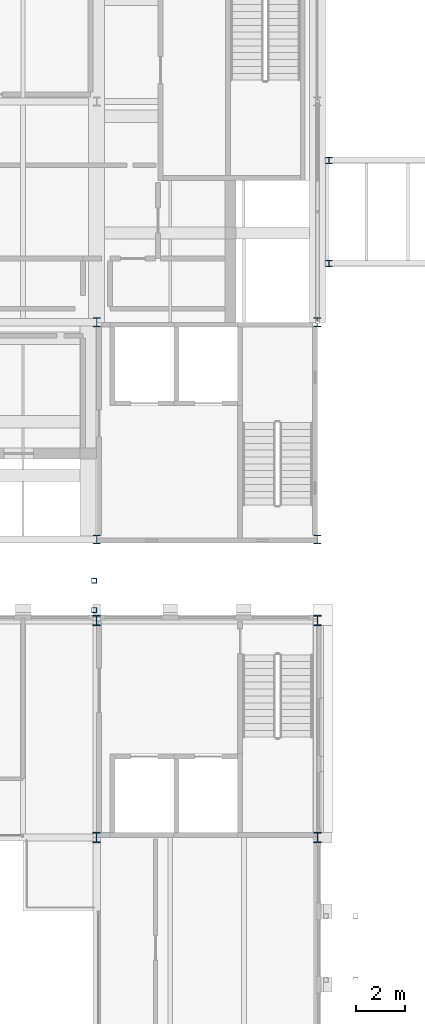
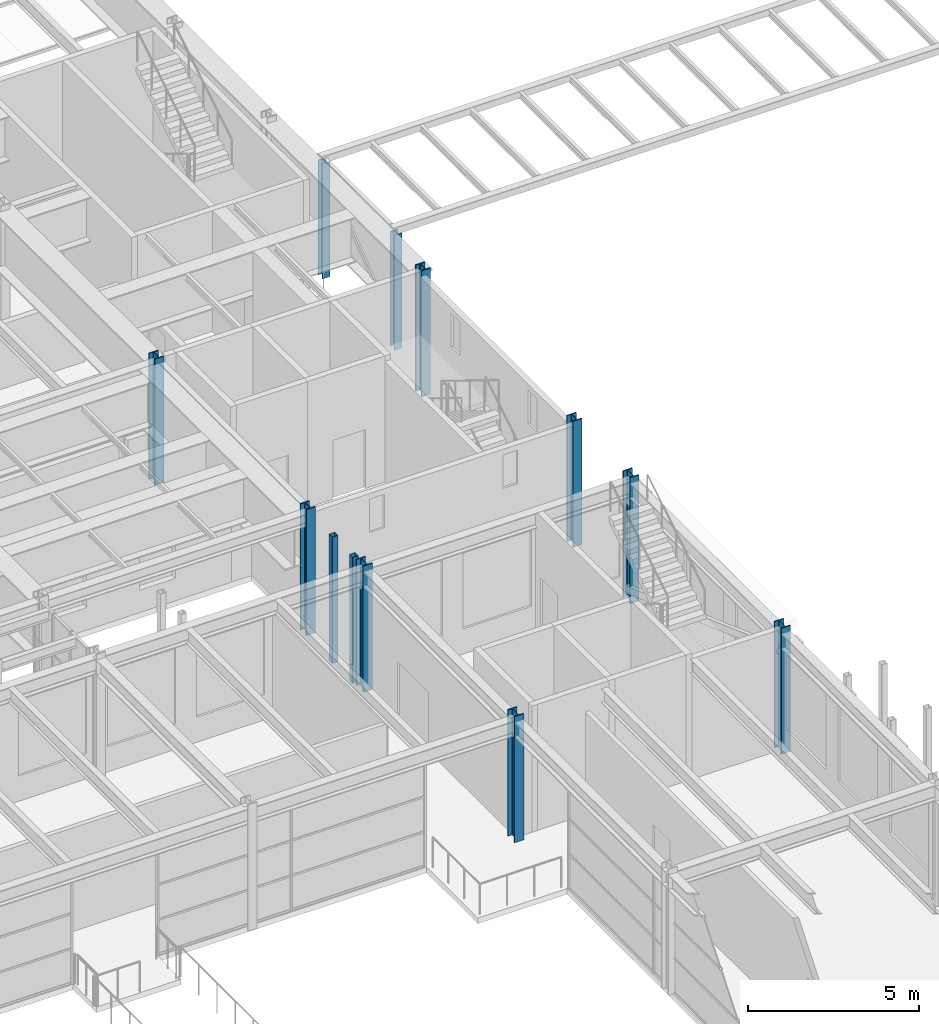
# One storey, part 12 of 153: 12 columns.
"""IFC4 building model written with IfcOpenShell, lengths in metres."""

from ifc_helpers import new_model, si_unit, direction, frame, origin, origin_2d, place, context, subcontext, project, spatial, hollow_rectangle, i_section, extrude, material, material_profile, profile_set, type_object, element, save


model = new_model("IFC4")

# Units and contexts
model_context = context("Model", 3, precision=1e-05, world=origin(), true_north=direction((0.0, 1.0)))
body_context = subcontext(model_context, "Body", "Model", "MODEL_VIEW")
ifc_project = project(units=[si_unit("LENGTHUNIT", "METRE"), si_unit("AREAUNIT", "SQUARE_METRE"), si_unit("VOLUMEUNIT", "CUBIC_METRE"), si_unit("PLANEANGLEUNIT", "RADIAN"), si_unit("MASSUNIT", "GRAM", prefix="KILO")], contexts=[model_context])

# Site, building, storey
site_placement = place(None, origin())
site = spatial("IfcSite", under=ifc_project, at=site_placement, CompositionType="ELEMENT")
building_placement = place(site_placement, origin())
building = spatial("IfcBuilding", under=site, at=building_placement, Name="Kallimachos Central Library", CompositionType="ELEMENT")
storey_placement = place(building_placement, frame((0.0, 0.0, 5.39990234375)))
storey = spatial("IfcBuildingStorey", under=building, at=storey_placement, Name="L01", CompositionType="ELEMENT", Elevation=5.39990234375)

# Columns
ifc_material_1 = material(Name="Steel S355J2", Category="steel")
ifc_material_profile_1 = material_profile(ifc_material_1, i_section(OverallWidth=0.260009765625, OverallDepth=0.260009765625, WebThickness=0.010009765625, FlangeThickness=0.017578125, FilletRadius=0.02392578125, at=origin_2d()), Name="HEB 260")
ifc_profile_set_1 = profile_set([ifc_material_profile_1], Name="Steel S355J2")
column_type_1 = type_object("IfcColumnType", Name="HEB 260 column", PredefinedType="COLUMN", material=ifc_profile_set_1)
for number, where, z_axis, x_axis, name in (
    (1, (110.97509765625, 98.39990234375, 0.0), (0.0, 0.0, 1.0), (1.0, 0.0, 0.0), "B-E landing column"),
    (2, (110.97509765625, 102.60009765625, 0.0), (0.0, 0.0, 1.0), (1.0, 0.0, 0.0), "B-E landing column"),
):
    element("IfcColumn", number, at=place(storey_placement, frame(where, z_axis=z_axis, x_axis=x_axis)), inside=storey, type_object=column_type_1, Name=name, PredefinedType="COLUMN", context=body_context, shape_type="SweptSolid", body=[
        extrude(i_section(OverallWidth=0.260009765625, OverallDepth=0.260009765625, WebThickness=0.010009765625, FlangeThickness=0.017578125, FilletRadius=0.02392578125, at=origin_2d()), origin(), (0.0, 0.0, 1.0), 4.10009765625),
    ])
ifc_material_2 = material(Name="Steel S355J2", Category="steel")
ifc_material_profile_2 = material_profile(ifc_material_2, i_section(OverallWidth=0.30908203125, OverallDepth=0.376953125, WebThickness=0.02099609375, FlangeThickness=0.0400390625, FilletRadius=0.027099609375, at=origin_2d()), Name="HEM 340")
ifc_profile_set_2 = profile_set([ifc_material_profile_2], Name="Steel S355J2")
column_type_2 = type_object("IfcColumnType", Name="HEM 340 column", PredefinedType="COLUMN", material=ifc_profile_set_2)
for number, where, z_axis, x_axis, name in (
    (3, (101.5, 87.14990234375, 0.0), (0.0, 0.0, 1.0), (1.0, 0.0, 0.0), "V1-COL-L01-005"),
    (4, (110.5, 87.14990234375, 0.0), (0.0, 0.0, 1.0), (1.0, 0.0, 0.0), "V1-COL-L01-006"),
    (5, (101.5, 96.0, 0.0), (0.0, 0.0, 1.0), (1.0, 0.0, 0.0), "V1-COL-L01-011"),
    (6, (110.5, 96.0, 0.0), (0.0, 0.0, 1.0), (1.0, 0.0, 0.0), "V1-COL-L01-012"),
):
    element("IfcColumn", number, at=place(storey_placement, frame(where, z_axis=z_axis, x_axis=x_axis)), inside=storey, type_object=column_type_2, Name=name, PredefinedType="COLUMN", context=body_context, shape_type="SweptSolid", body=[
        extrude(i_section(OverallWidth=0.30908203125, OverallDepth=0.376953125, WebThickness=0.02099609375, FlangeThickness=0.0400390625, FilletRadius=0.027099609375, at=origin_2d()), origin(), (0.0, 0.0, 1.0), 4.5),
    ])
ifc_material_3 = material(Name="Steel S355J2", Category="steel")
ifc_material_profile_3 = material_profile(ifc_material_3, i_section(OverallWidth=0.306884765625, OverallDepth=0.431884765625, WebThickness=0.02099609375, FlangeThickness=0.0400390625, FilletRadius=0.027099609375, at=origin_2d()), Name="HEM 400")
ifc_profile_set_3 = profile_set([ifc_material_profile_3], Name="Steel S355J2")
column_type_3 = type_object("IfcColumnType", Name="HEM 400 column", PredefinedType="COLUMN", material=ifc_profile_set_3)
for number, where, z_axis, x_axis, name in (
    (7, (101.5, 75.0, 0.0), (0.0, 0.0, 1.0), (1.0, 0.0, 0.0), "V4-COL-L01-017"),
    (8, (110.5, 75.0, 0.0), (0.0, 0.0, 1.0), (1.0, 0.0, 0.0), "V4-COL-L01-018"),
    (9, (101.5, 83.85009765625, 0.0), (0.0, 0.0, 1.0), (1.0, 0.0, 0.0), "V4-COL-L01-023"),
    (10, (110.5, 83.85009765625, 0.0), (0.0, 0.0, 1.0), (1.0, 0.0, 0.0), "V4-COL-L01-024"),
):
    element("IfcColumn", number, at=place(storey_placement, frame(where, z_axis=z_axis, x_axis=x_axis)), inside=storey, type_object=column_type_3, Name=name, PredefinedType="COLUMN", context=body_context, shape_type="SweptSolid", body=[
        extrude(i_section(OverallWidth=0.306884765625, OverallDepth=0.431884765625, WebThickness=0.02099609375, FlangeThickness=0.0400390625, FilletRadius=0.027099609375, at=origin_2d()), origin(), (0.0, 0.0, 1.0), 4.5),
    ])
ifc_material_4 = material(Name="Steel S355J2H", Category="steel")
ifc_material_profile_4 = material_profile(ifc_material_4, hollow_rectangle(XDim=0.199951171875, YDim=0.199951171875, WallThickness=0.010009765625, InnerFilletRadius=0.010009765625, OuterFilletRadius=0.014892578125, at=origin_2d()), Name="SHS 200x200x10")
ifc_profile_set_4 = profile_set([ifc_material_profile_4], Name="Steel S355J2H")
column_type_4 = type_object("IfcColumnType", Name="SHS 200x200x10 column", PredefinedType="COLUMN", material=ifc_profile_set_4)
for number, where, z_axis, x_axis, name in (
    (11, (101.39990234375, 84.26611328125, 0.0), (0.0, 0.0, 1.0), (1.0, 0.0, 0.0), "Tribune bay N2 column 2"),
    (12, (101.39990234375, 85.466064453125, 0.0), (0.0, 0.0, 1.0), (1.0, 0.0, 0.0), "Tribune bay N2 column 4"),
):
    element("IfcColumn", number, at=place(storey_placement, frame(where, z_axis=z_axis, x_axis=x_axis)), inside=storey, type_object=column_type_4, Name=name, PredefinedType="COLUMN", context=body_context, shape_type="SweptSolid", body=[
        extrude(hollow_rectangle(XDim=0.199951171875, YDim=0.199951171875, WallThickness=0.010009765625, InnerFilletRadius=0.010009765625, OuterFilletRadius=0.014892578125, at=origin_2d()), origin(), (0.0, 0.0, 1.0), 4.5),
    ])

save(model, "model.ifc")
